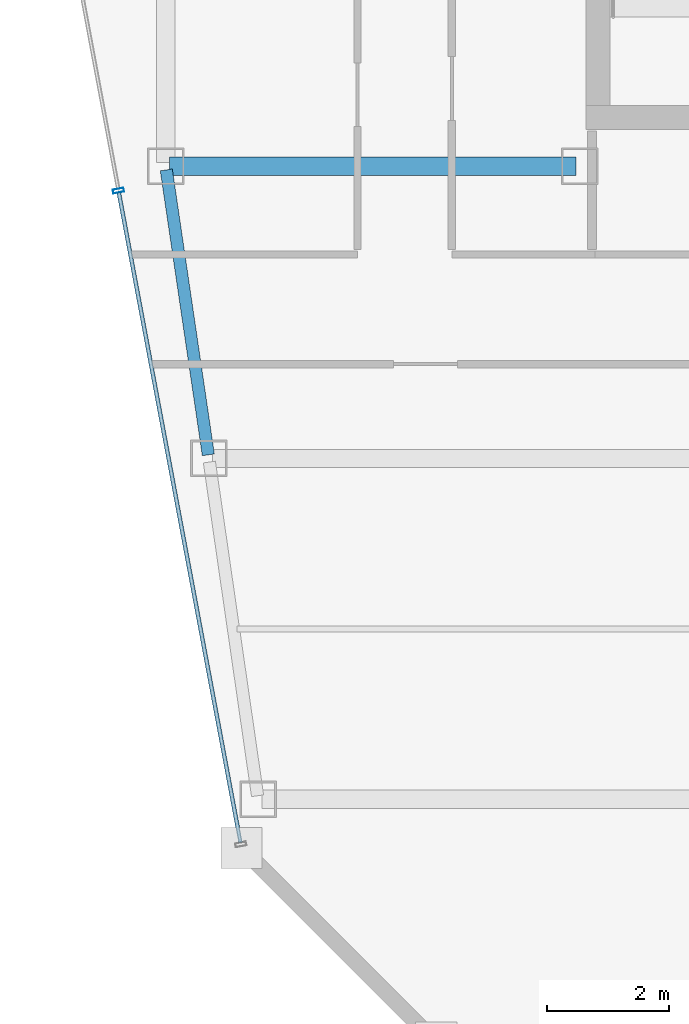
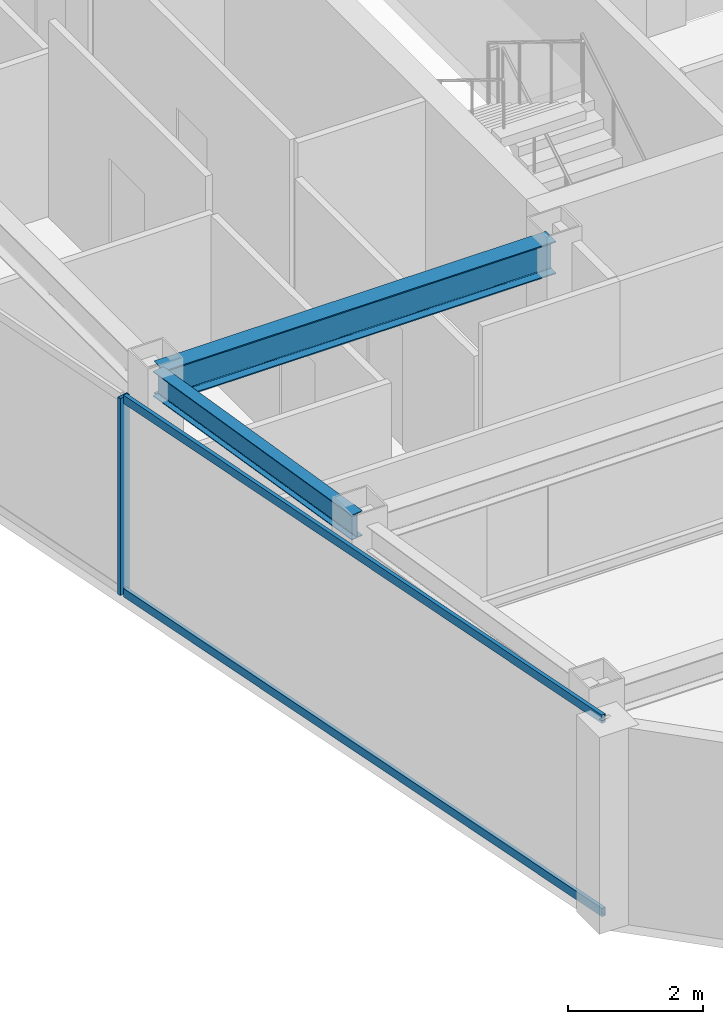
# One storey, part 4 of 23: 3 members, 2 beams, 1 element without a shape of its own.
"""IFC4 building model written with IfcOpenShell, lengths in metres."""

import ifcopenshell
import ifcopenshell.guid

model = None  # the IFC model being written
_history = None  # IfcOwnerHistory: only IFC2X3 demands one
_inside = {}  # id of a spatial element -> (the spatial element, [elements in it])
_under = {}  # id of a project, library or spatial element -> (it, [spatial elements below it])
_declared = {}  # id of a project -> (the project, [libraries it declares])
_typed = {}  # id of a type object -> (the type object, [elements of that type])
_made_of = {}  # id of a material, layer set ... -> (it, [elements and type objects made of it])


def new_model(schema):
    """Start an empty IFC model of exactly this schema.

    Asked for "IFC4X3", IfcOpenShell would pick the latest addendum, in which some entities
    have other attributes; the version numbers below select the first issue.
    IFC2X3 requires an IfcOwnerHistory on every rooted entity: one is made here for all.
    """
    global model, _history
    if schema == "IFC4X3":
        model = ifcopenshell.file(schema_version=(4, 3, 0, 0))
    else:
        model = ifcopenshell.file(schema=schema)
    _inside.clear()
    _under.clear()
    _declared.clear()
    _typed.clear()
    _made_of.clear()
    _history = None
    if model.schema == "IFC2X3":
        org = make("IfcOrganization", Name="unknown")
        user = make(
            "IfcPersonAndOrganization",
            ThePerson=make("IfcPerson", FamilyName="unknown"),
            TheOrganization=org,
        )
        app = make(
            "IfcApplication",
            ApplicationDeveloper=org,
            Version="unknown",
            ApplicationFullName="unknown",
            ApplicationIdentifier="unknown",
        )
        _history = make(
            "IfcOwnerHistory",
            OwningUser=user,
            OwningApplication=app,
            ChangeAction="ADDED",
            CreationDate=0,
        )
    return model


def make(cls, **values):
    """One entity of the class cls with the attributes given. An attribute that is None is left unset."""
    return model.create_entity(
        cls, **{name: value for name, value in values.items() if value is not None}
    )


def rooted(cls, **values):
    """An entity with a GlobalId (a new one), such as an element, a storey or a relation."""
    return make(cls, GlobalId=ifcopenshell.guid.new(), OwnerHistory=_history, **values)


def si_unit(unit_type, name, prefix=None):
    """IfcSIUnit, for example si_unit("LENGTHUNIT", "METRE", prefix="MILLI")."""
    return make("IfcSIUnit", UnitType=unit_type, Prefix=prefix, Name=name)


def assignment(units):
    """IfcUnitAssignment: the units of a project."""
    return None if units is None else make("IfcUnitAssignment", Units=units)


def point(xyz):
    """IfcCartesianPoint."""
    return None if xyz is None else make("IfcCartesianPoint", Coordinates=xyz)


def direction(xyz):
    """IfcDirection."""
    return None if xyz is None else make("IfcDirection", DirectionRatios=xyz)


def frame(location, z_axis=None, x_axis=None):
    """IfcAxis2Placement3D, a coordinate frame: its origin and axes. An axis left out is left unset."""
    return make(
        "IfcAxis2Placement3D",
        Location=point(location),
        Axis=direction(z_axis),
        RefDirection=direction(x_axis),
    )


def frame_2d(location, x_axis=None):
    """IfcAxis2Placement2D, a coordinate frame in the plane: its origin and x axis."""
    return make(
        "IfcAxis2Placement2D", Location=point(location), RefDirection=direction(x_axis)
    )


def origin():
    """The frame at (0, 0, 0) with its axes left unset."""
    return frame((0.0, 0.0, 0.0))


def origin_2d():
    """The frame at (0, 0) in the plane with its x axis left unset."""
    return frame_2d((0.0, 0.0))


def place(relative_to, where):
    """IfcLocalPlacement: puts the frame where relative to a parent placement (None: the world)."""
    return make(
        "IfcLocalPlacement", PlacementRelTo=relative_to, RelativePlacement=where
    )


def context(
    kind, dimensions, precision=None, world=None, true_north=None, identifier=None
):
    """IfcGeometricRepresentationContext, for example the 3D "Model" context."""
    return make(
        "IfcGeometricRepresentationContext",
        ContextIdentifier=identifier,
        ContextType=kind,
        CoordinateSpaceDimension=dimensions,
        Precision=precision,
        WorldCoordinateSystem=world,
        TrueNorth=true_north,
    )


def subcontext(parent, identifier, kind, view, scale=None):
    """IfcGeometricRepresentationSubContext, for example "Body" below "Model"."""
    return make(
        "IfcGeometricRepresentationSubContext",
        ContextIdentifier=identifier,
        ContextType=kind,
        ParentContext=parent,
        TargetScale=scale,
        TargetView=view,
    )


def project(units=None, contexts=None):
    """IfcProject with its units and contexts."""
    return rooted(
        "IfcProject",
        Name="project",
        RepresentationContexts=contexts,
        UnitsInContext=assignment(units),
    )


def spatial(cls, under=None, at=None, **own):
    """A site, building, storey or space (cls), placed at a placement, below another one or the project."""
    s = rooted(cls, ObjectPlacement=at, **own)
    if under is not None:
        _under.setdefault(under.id(), (under, []))[1].append(s)
    return s


def profile(cls, at=None, kind="AREA", **sizes):
    """A parametric profile (cls). Its sizes go by their IFC names, for example OverallWidth=200.0."""
    return make(cls, ProfileType=kind, Position=at, **sizes)


def hollow_rectangle(**sizes):
    """IfcRectangleHollowProfileDef."""
    return profile("IfcRectangleHollowProfileDef", **sizes)


def i_section(**sizes):
    """IfcIShapeProfileDef."""
    return profile("IfcIShapeProfileDef", **sizes)


def extrude(swept, where, along, depth):
    """IfcExtrudedAreaSolid: the profile swept, set in the frame where, extruded along a direction by depth."""
    return make(
        "IfcExtrudedAreaSolid",
        SweptArea=swept,
        Position=where,
        ExtrudedDirection=direction(along),
        Depth=depth,
    )


def shape(context_of_items, identifier, shape_type, items):
    """IfcShapeRepresentation: the items that make up one representation, for example the "Body"."""
    return make(
        "IfcShapeRepresentation",
        ContextOfItems=context_of_items,
        RepresentationIdentifier=identifier,
        RepresentationType=shape_type,
        Items=items,
    )


def material(Name=None, Category=None):
    """IfcMaterial."""
    return make("IfcMaterial", Name=Name, Category=Category)


def material_profile(
    of_material, cross_section, Name=None, Category=None, Priority=None
):
    """IfcMaterialProfile: a cross section and its material."""
    return make(
        "IfcMaterialProfile",
        Name=Name,
        Material=of_material,
        Profile=cross_section,
        Priority=Priority,
        Category=Category,
    )


def profile_set(profiles, Name=None, composite=None):
    """IfcMaterialProfileSet."""
    return make(
        "IfcMaterialProfileSet",
        Name=Name,
        MaterialProfiles=profiles,
        CompositeProfile=composite,
    )


def made_of(thing, what):
    """Note that an element or type object is made of a material, layer set ...; save() writes the relation."""
    if what is not None:
        _made_of.setdefault(what.id(), (what, []))[1].append(thing)
    return thing


def type_object(cls, material=None, **own):
    """A type object (cls), such as IfcWallType, which elements share."""
    return made_of(rooted(cls, **own), material)


def element(
    cls,
    number,
    at=None,
    inside=None,
    cuts=None,
    type_object=None,
    material=None,
    context=None,
    identifier="Body",
    shape_type=None,
    held_by="IfcProductDefinitionShape",
    body=None,
    shapes=None,
    **own,
):
    """One element of the class cls, such as IfcWall. Its Tag is "e" and its number.

    at: its placement. inside: the storey or other place that contains it. cuts: it is an
    opening in that element (IfcRelVoidsElement). A single representation is given by context,
    identifier, shape_type and body (its items); several are given by shapes. held_by: the class
    of the entity that holds the representations. save() writes the other relations.
    """
    e = rooted(cls, Tag="e%d" % number, ObjectPlacement=at, **own)
    if body is not None:
        shapes = [shape(context, identifier, shape_type, body)]
    if shapes is not None:
        e.Representation = make(held_by, Representations=shapes)
    if inside is not None:
        _inside.setdefault(inside.id(), (inside, []))[1].append(e)
    if cuts is not None:
        rooted(
            "IfcRelVoidsElement", RelatingBuildingElement=cuts, RelatedOpeningElement=e
        )
    if type_object is not None:
        _typed.setdefault(type_object.id(), (type_object, []))[1].append(e)
    return made_of(e, material)


def aggregate(whole, parts):
    """IfcRelAggregates: a whole, such as a stair, and the parts it consists of."""
    return rooted("IfcRelAggregates", RelatingObject=whole, RelatedObjects=parts)


def save(model, path):
    """Write the relations noted so far, then the file.

    IfcRelAggregates (storeys below a building ...), IfcRelContainedInSpatialStructure (elements
    in a storey), IfcRelDefinesByType, IfcRelAssociatesMaterial and IfcRelDeclares: one each for
    every whole, place, type object, material and project.
    """
    for whole, parts in _under.values():
        aggregate(whole, parts)
    for where, things in _inside.values():
        rooted(
            "IfcRelContainedInSpatialStructure",
            RelatedElements=things,
            RelatingStructure=where,
        )
    for kind, things in _typed.values():
        rooted("IfcRelDefinesByType", RelatedObjects=things, RelatingType=kind)
    for what, things in _made_of.values():
        rooted("IfcRelAssociatesMaterial", RelatedObjects=things, RelatingMaterial=what)
    for by, libraries in _declared.values():
        rooted("IfcRelDeclares", RelatingContext=by, RelatedDefinitions=libraries)
    model.write(path)


model = new_model("IFC4")

# Units and contexts
model_context = context("Model", 3, precision=1e-05, world=origin(), true_north=direction((0.0, 1.0)))
body_context = subcontext(model_context, "Body", "Model", "MODEL_VIEW")
ifc_project = project(units=[si_unit("LENGTHUNIT", "METRE"), si_unit("AREAUNIT", "SQUARE_METRE"), si_unit("VOLUMEUNIT", "CUBIC_METRE"), si_unit("PLANEANGLEUNIT", "RADIAN"), si_unit("MASSUNIT", "GRAM", prefix="KILO")], contexts=[model_context])

# Site, building, storey
site_placement = place(None, origin())
site = spatial("IfcSite", under=ifc_project, at=site_placement, CompositionType="ELEMENT")
building_placement = place(site_placement, origin())
building = spatial("IfcBuilding", under=site, at=building_placement, Name="Saevonmaru Cultural Tower", CompositionType="ELEMENT")
storey_placement = place(building_placement, frame((0.0, 0.0, 283.800048828125)))
storey = spatial("IfcBuildingStorey", under=building, at=storey_placement, Name="L67", CompositionType="ELEMENT", Elevation=283.800048828125)

# Beams
ifc_material_1 = material(Name="Steel SM355", Category="steel")
ifc_material_profile_1 = material_profile(ifc_material_1, i_section(OverallWidth=0.300048828125, OverallDepth=0.587890625, WebThickness=0.011962890625, FlangeThickness=0.02001953125, FilletRadius=0.02392578125, at=origin_2d()), Name="H-588x300x12x20")
ifc_profile_set_1 = profile_set([ifc_material_profile_1], Name="Steel SM355")
beam_type_1 = type_object("IfcBeamType", Name="BM-G-H588", PredefinedType="BEAM", material=ifc_profile_set_1)
beam_1_placement = place(storey_placement, frame((6.860107421875, 42.39990234375, 3.255859375), z_axis=(1.0, 0.0, 0.0), x_axis=(0.0, 1.0, 0.0)))
element("IfcBeam", 1, at=beam_1_placement, inside=storey, type_object=beam_type_1, Name="L67 Core South Girder 1", PredefinedType="BEAM", context=body_context, shape_type="SweptSolid", body=[
    extrude(i_section(OverallWidth=0.300048828125, OverallDepth=0.587890625, WebThickness=0.011962890625, FlangeThickness=0.02001953125, FilletRadius=0.02392578125, at=origin_2d()), origin(), (0.0, 0.0, 1.0), 6.679931640625),
])
ifc_material_profile_2 = material_profile(ifc_material_1, i_section(OverallWidth=0.199951171875, OverallDepth=0.449951171875, WebThickness=0.009033203125, FlangeThickness=0.013916015625, FilletRadius=0.01806640625, at=origin_2d()), Name="H-450x200x9x14")
ifc_profile_set_2 = profile_set([ifc_material_profile_2], Name="Steel SM355")
beam_type_2 = type_object("IfcBeamType", Name="BM-SP-H450", PredefinedType="SPANDREL", material=ifc_profile_set_2)
beam_2_placement = place(storey_placement, frame((7.499267578125, 37.659423828125, 3.324951171875), z_axis=(-0.145912860028, 0.989297446312, 0.0), x_axis=(-0.989297446312, -0.145912860028, 0.0)))
element("IfcBeam", 2, at=beam_2_placement, inside=storey, type_object=beam_type_2, Name="L67 West Splayed Spandrel 2", PredefinedType="SPANDREL", context=body_context, shape_type="SweptSolid", body=[
    extrude(i_section(OverallWidth=0.199951171875, OverallDepth=0.449951171875, WebThickness=0.009033203125, FlangeThickness=0.013916015625, FilletRadius=0.01806640625, at=origin_2d()), origin(), (0.0, 0.0, 1.0), 4.731689453125),
])

# Curtain wall, members
ifc_material_2 = material(Name="Satin Bronze Anodised Aluminium", Category="aluminium")
curtain_wall_type = type_object("IfcCurtainWallType", Name="CW-TYP-B", PredefinedType="NOTDEFINED", material=ifc_material_2)
curtain_wall_placement = place(storey_placement, origin())
curtain_wall = element("IfcCurtainWall", 3, at=curtain_wall_placement, inside=storey, type_object=curtain_wall_type, Name="L67 Unitised Curtain Wall E12", PredefinedType="NOTDEFINED")
ifc_material_profile_3 = material_profile(ifc_material_2, hollow_rectangle(XDim=0.06494140625, YDim=0.179931640625, WallThickness=0.00390625, at=origin_2d()), Name="ALU-MULL-180x65x4")
ifc_profile_set_3 = profile_set([ifc_material_profile_3], Name="Satin Bronze Anodised Aluminium")
member_type_1 = type_object("IfcMemberType", Name="ML-CW-180x65", PredefinedType="MULLION", material=ifc_profile_set_3)
member_1_placement = place(storey_placement, frame((6.022216796875, 42.0, 0.0), z_axis=(0.0, 0.0, 1.0), x_axis=(0.184046528232, -0.982917532373, 0.0)))
member_1 = element("IfcMember", 4, at=member_1_placement, type_object=member_type_1, Name="CW-TW-L67-E12 mullion 2", PredefinedType="MULLION", context=body_context, shape_type="SweptSolid", body=[
    extrude(hollow_rectangle(XDim=0.06494140625, YDim=0.179931640625, WallThickness=0.00390625, at=origin_2d()), origin(), (0.0, 0.0, 1.0), 3.550048828125),
])
ifc_material_profile_4 = material_profile(ifc_material_2, hollow_rectangle(XDim=0.06494140625, YDim=0.14990234375, WallThickness=0.00390625, at=origin_2d()), Name="ALU-TRAN-150x65x4")
ifc_profile_set_4 = profile_set([ifc_material_profile_4], Name="Satin Bronze Anodised Aluminium")
member_type_2 = type_object("IfcMemberType", Name="TR-CW-150x65", PredefinedType="USERDEFINED", material=ifc_profile_set_4)
member_2_placement = place(storey_placement, frame((6.028076171875, 41.968017578125, 0.032470703125), z_axis=(0.184051053742, -0.982916684982, 0.0), x_axis=(0.982916684982, 0.184051053742, 0.0)))
member_2 = element("IfcMember", 5, at=member_2_placement, type_object=member_type_2, Name="CW-TW-L67-E12 transom 2.1", ObjectType="TRANSOM", PredefinedType="USERDEFINED", context=body_context, shape_type="SweptSolid", body=[
    extrude(hollow_rectangle(XDim=0.06494140625, YDim=0.14990234375, WallThickness=0.00390625, at=origin_2d()), origin(), (0.0, 0.0, 1.0), 10.862548828125),
])
member_3_placement = place(storey_placement, frame((6.028076171875, 41.968017578125, 3.517333984375), z_axis=(0.184051053742, -0.982916684982, 0.0), x_axis=(0.982916684982, 0.184051053742, 0.0)))
member_3 = element("IfcMember", 6, at=member_3_placement, type_object=member_type_2, Name="CW-TW-L67-E12 transom 2.2", ObjectType="TRANSOM", PredefinedType="USERDEFINED", context=body_context, shape_type="SweptSolid", body=[
    extrude(hollow_rectangle(XDim=0.06494140625, YDim=0.14990234375, WallThickness=0.00390625, at=origin_2d()), origin(), (0.0, 0.0, 1.0), 10.862548828125),
])
aggregate(curtain_wall, [member_1, member_2, member_3])

save(model, "model.ifc")
